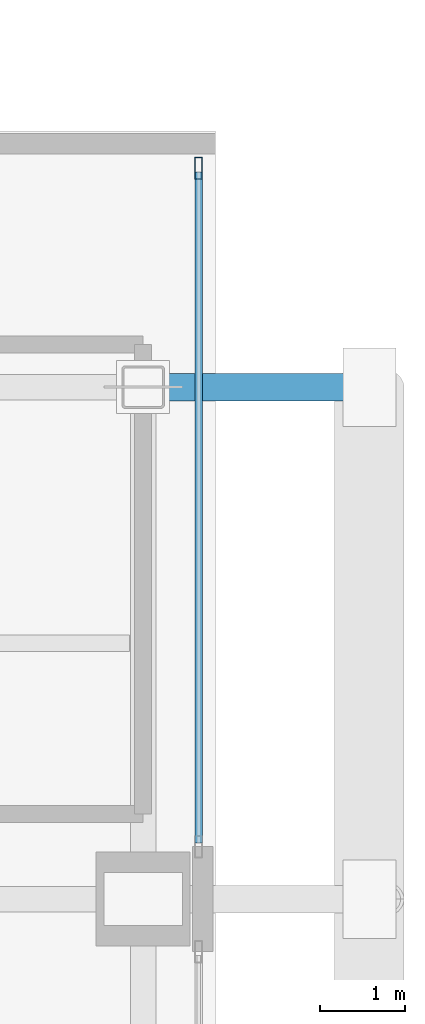
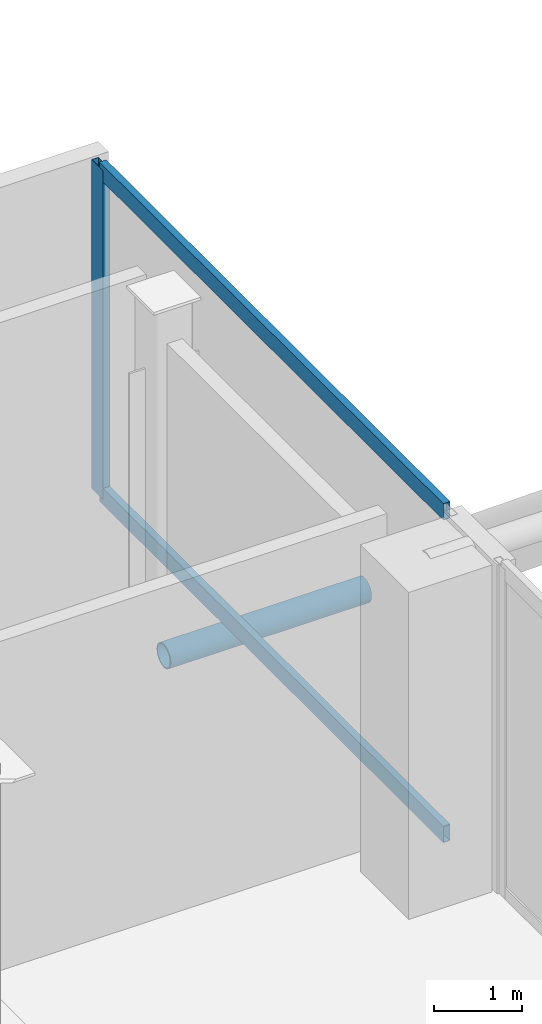
# One storey, part 4 of 9: 4 members, 1 element without a shape of its own.
"""IFC4 building model written with IfcOpenShell, lengths in metres."""

from ifc_helpers import new_model, si_unit, direction, frame, origin, origin_2d, place, context, subcontext, project, spatial, hollow_rectangle, hollow_circle, extrude, material, layer, layer_set, material_profile, profile_set, type_object, element, aggregate, save


model = new_model("IFC4")

# Units and contexts
model_context = context("Model", 3, precision=1e-05, world=origin(), true_north=direction((0.0, 1.0)))
body_context = subcontext(model_context, "Body", "Model", "MODEL_VIEW")
ifc_project = project(units=[si_unit("LENGTHUNIT", "METRE"), si_unit("AREAUNIT", "SQUARE_METRE"), si_unit("VOLUMEUNIT", "CUBIC_METRE"), si_unit("PLANEANGLEUNIT", "RADIAN"), si_unit("MASSUNIT", "GRAM", prefix="KILO"), si_unit("THERMODYNAMICTEMPERATUREUNIT", "KELVIN"), si_unit("POWERUNIT", "WATT")], contexts=[model_context])

# Site, building, storey
site_placement = place(None, origin())
site = spatial("IfcSite", under=ifc_project, at=site_placement, CompositionType="ELEMENT")
building_placement = place(site_placement, origin())
building = spatial("IfcBuilding", under=site, at=building_placement, Name="Svarakhadi Broadcast Tower", CompositionType="ELEMENT")
storey_placement = place(building_placement, frame((0.0, 0.0, 164.39990234375)))
storey = spatial("IfcBuildingStorey", under=building, at=storey_placement, Name="L40", CompositionType="ELEMENT", Elevation=164.39990234375)

# Curtain wall, members
ifc_material_1 = material(Name="Anodised Bronze Aluminium AA 6063-T6", Category="aluminium")
ifc_layer = layer(ifc_material_1, 0.260009765625)
ifc_layer_set = layer_set([ifc_layer], Name="Anodised Bronze Aluminium AA 6063-T6")
curtain_wall_type = type_object("IfcCurtainWallType", Name="CW_Sys_07", PredefinedType="NOTDEFINED", material=ifc_layer_set)
curtain_wall_placement = place(storey_placement, origin())
curtain_wall = element("IfcCurtainWall", 1, at=curtain_wall_placement, inside=storey, type_object=curtain_wall_type, Name="L40 East Plant Daylighting Curtain Wall CW-07 Bay 1", PredefinedType="NOTDEFINED")
ifc_material_profile_1 = material_profile(ifc_material_1, hollow_rectangle(XDim=0.090087890625, YDim=0.260009765625, WallThickness=0.005615234375, at=origin_2d()), Name="ALU MULLION 260x90x6")
ifc_profile_set_1 = profile_set([ifc_material_profile_1], Name="Anodised Bronze Aluminium AA 6063-T6")
member_type_1 = type_object("IfcMemberType", Name="CW_Sys_07_Mul", PredefinedType="MULLION", material=ifc_profile_set_1)
member_1_placement = place(storey_placement, frame((47.800048828125, 20.56494140625, 0.0), z_axis=(0.0, 0.0, 1.0), x_axis=(1.0, 0.0, 0.0)))
member_1 = element("IfcMember", 2, at=member_1_placement, type_object=member_type_1, Name="CW-07 mullion 1", PredefinedType="MULLION", context=body_context, shape_type="SweptSolid", body=[
    extrude(hollow_rectangle(XDim=0.090087890625, YDim=0.260009765625, WallThickness=0.005615234375, at=origin_2d()), origin(), (0.0, 0.0, 1.0), 4.590087890625),
])
ifc_material_profile_2 = material_profile(ifc_material_1, hollow_rectangle(XDim=0.090087890625, YDim=0.22998046875, WallThickness=0.0048828125, at=origin_2d()), Name="ALU TRANSOM 230x90x5")
ifc_profile_set_2 = profile_set([ifc_material_profile_2], Name="Anodised Bronze Aluminium AA 6063-T6")
member_type_2 = type_object("IfcMemberType", Name="CW_Sys_07_Trn", PredefinedType="USERDEFINED", material=ifc_profile_set_2)
member_2_placement = place(storey_placement, frame((47.800048828125, 20.52001953125, 0.045166015625), z_axis=(0.0, -1.0, 0.0), x_axis=(1.0, 0.0, 0.0)))
member_2 = element("IfcMember", 3, at=member_2_placement, type_object=member_type_2, Name="CW-07 transom 1.1", ObjectType="TRANSOM", PredefinedType="USERDEFINED", context=body_context, shape_type="SweptSolid", body=[
    extrude(hollow_rectangle(XDim=0.090087890625, YDim=0.22998046875, WallThickness=0.0048828125, at=origin_2d()), origin(), (0.0, 0.0, 1.0), 7.860107421875),
])
member_3_placement = place(storey_placement, frame((47.800048828125, 20.52001953125, 4.545166015625), z_axis=(0.0, -1.0, 0.0), x_axis=(1.0, 0.0, 0.0)))
member_3 = element("IfcMember", 4, at=member_3_placement, type_object=member_type_2, Name="CW-07 transom 1.2", ObjectType="TRANSOM", PredefinedType="USERDEFINED", context=body_context, shape_type="SweptSolid", body=[
    extrude(hollow_rectangle(XDim=0.090087890625, YDim=0.22998046875, WallThickness=0.0048828125, at=origin_2d()), origin(), (0.0, 0.0, 1.0), 7.860107421875),
])
aggregate(curtain_wall, [member_1, member_2, member_3])

# Member
ifc_material_2 = material(Name="Steel S460ML (IS 2062 E450BR)", Category="steel")
ifc_material_profile_3 = material_profile(ifc_material_2, hollow_circle(Radius=0.161865234375, WallThickness=0.01611328125, at=origin_2d()), Name="CHS 323.9x16")
ifc_profile_set_3 = profile_set([ifc_material_profile_3], Name="Steel S460ML (IS 2062 E450BR)")
member_type_3 = type_object("IfcMemberType", Name="Exo_Radial_Strut_Z2", PredefinedType="STRUT", material=ifc_profile_set_3)
member_4_placement = place(storey_placement, frame((49.800048828125, 18.0, -0.48681640625), z_axis=(-1.0, 0.0, 0.0), x_axis=(0.0, -1.0, 0.0)))
element("IfcMember", 5, at=member_4_placement, inside=storey, type_object=member_type_3, Name="L40 Exoskeleton Radial Tie Strut E09", PredefinedType="STRUT", context=body_context, shape_type="SweptSolid", body=[
    extrude(hollow_circle(Radius=0.161865234375, WallThickness=0.01611328125, at=origin_2d()), origin(), (0.0, 0.0, 1.0), 2.650146484375),
])

save(model, "model.ifc")
